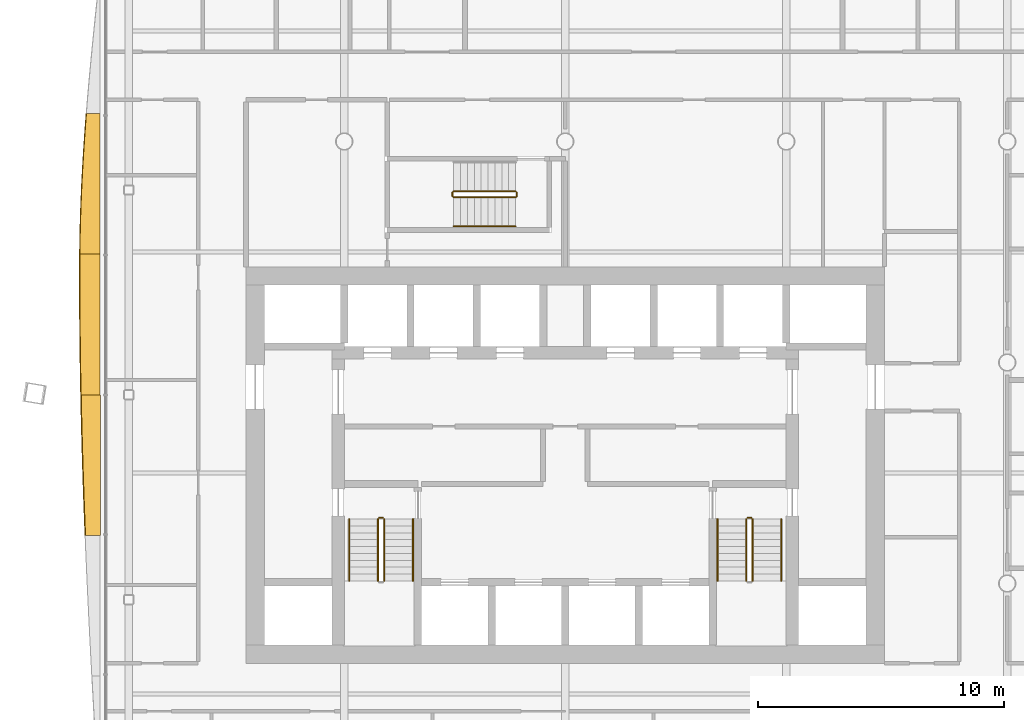
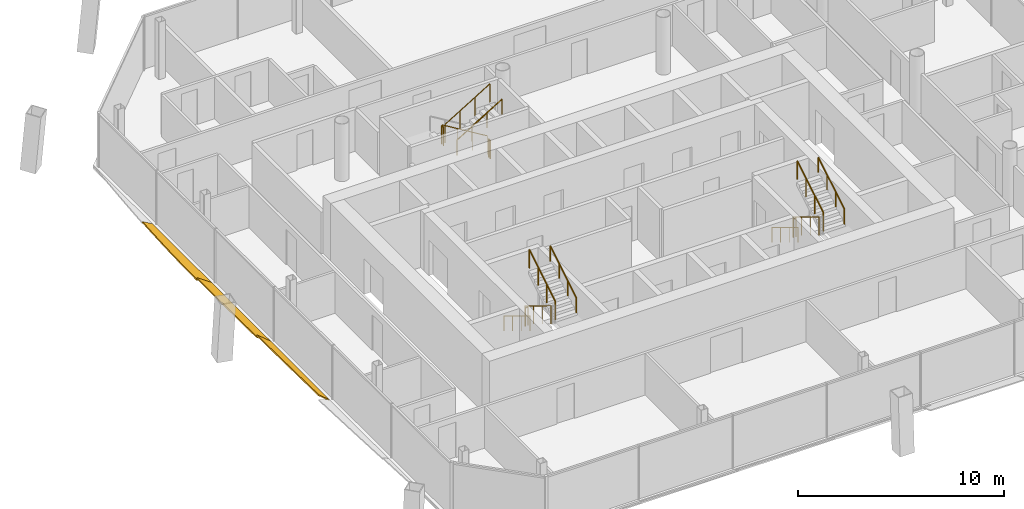
# One storey, part 17 of 18: 15 railings, 3 shading devices.
"""IFC4 building model written with IfcOpenShell, lengths in metres."""

from ifc_helpers import new_model, si_unit, direction, frame, origin, origin_2d, place, context, subcontext, project, spatial, polyline, circle, outline, extrude, material, layer, layer_set, type_object, element, save


model = new_model("IFC4")

# Units and contexts
model_context = context("Model", 3, precision=1e-05, world=origin(), true_north=direction((0.0, 1.0)))
body_context = subcontext(model_context, "Body", "Model", "MODEL_VIEW")
ifc_project = project(units=[si_unit("LENGTHUNIT", "METRE"), si_unit("AREAUNIT", "SQUARE_METRE"), si_unit("VOLUMEUNIT", "CUBIC_METRE"), si_unit("PLANEANGLEUNIT", "RADIAN"), si_unit("MASSUNIT", "GRAM", prefix="KILO")], contexts=[model_context])

# Site, building, storey
site_placement = place(None, origin())
site = spatial("IfcSite", under=ifc_project, at=site_placement, CompositionType="ELEMENT")
building_placement = place(site_placement, origin())
building = spatial("IfcBuilding", under=site, at=building_placement, Name="Tskaro Facet Tower", CompositionType="ELEMENT")
storey_placement = place(building_placement, frame((0.0, 0.0, 155.5)))
storey = spatial("IfcBuildingStorey", under=building, at=storey_placement, Name="L38", CompositionType="ELEMENT", Elevation=155.5)

# Shading devices
ifc_material_1 = material(Name="Bronze anodised aluminium 6063-T6", Category="aluminium")
ifc_layer = layer(ifc_material_1, 0.06005859375, Name="Bronze anodised aluminium 6063-T6")
ifc_layer_set = layer_set([ifc_layer], Name="Bronze anodised aluminium 6063-T6")
shading_device_type = type_object("IfcShadingDeviceType", Name="Bronze sun blade (FN1)", PredefinedType="USERDEFINED", material=ifc_layer_set)
shading_device_1_placement = place(storey_placement, frame((-18.944091796875, 10.13818359375, 0.052001953125), z_axis=(0.50002631681, 2.104297e-05, 0.866010208978), x_axis=(1.0522039e-05, -0.999999999779, 1.8223427e-05)))
element("IfcShadingDevice", 1, at=shading_device_1_placement, inside=storey, type_object=shading_device_type, Name="Fin blade west 2", ObjectType="FIN", PredefinedType="USERDEFINED", context=body_context, shape_type="SweptSolid", body=[
    extrude(outline(polyline([(0.0, 0.0), (5.726806639357067, 0.0), (5.72680664159321, -0.9489847471094149), (5.010986329174217, -0.936296479616107), (4.295166013048883, -0.9156129159205496), (3.5793457021153654, -0.8871782094978022), (2.8635253912359513, -0.8514152168953107), (2.1474609353366154, -0.8082018613755458), (1.4316406238767718, -0.7583272296985423), (0.7158203136626173, -0.702002750138023), (-3.0124193296856167e-09, -0.6398627075151577), (0.0, 0.0)])), origin(), (0.0, 0.0, -1.0), 0.06005859375),
])
shading_device_2_placement = place(storey_placement, frame((-18.939697265625, 4.411376953125, 0.049072265625), z_axis=(0.573665991855, -1.1279269e-05, 0.819089329476), x_axis=(-6.470533e-06, -0.999999999936, -9.238729e-06)))
element("IfcShadingDevice", 2, at=shading_device_2_placement, inside=storey, type_object=shading_device_type, Name="Fin blade west 3", ObjectType="FIN", PredefinedType="USERDEFINED", context=body_context, shape_type="SweptSolid", body=[
    extrude(outline(polyline([(0.0, 0.0), (5.726806640260712, 4.8507939071640925e-21), (5.726806640434466, -0.9469369218432708), (5.010986329153736, -0.963257532394036), (4.295166014933271, -0.9770781102482162), (3.5793457031880602, -0.9886585461936934), (2.8635253891789434, -0.9973989212879422), (2.1477050783209104, -1.0035591263188444), (1.4316406254778784, -1.0074192716340034), (0.7788085922419186, -1.008439356097934), (0.7158203132514744, -1.0082993009241323), (-1.2471917536838442e-09, -1.0033591533380024), (0.0, 0.0)])), origin(), (0.0, 0.0, -1.0), 0.06005859375),
])
shading_device_3_placement = place(storey_placement, frame((-18.935546875, -1.3154296875, 0.0458984375), z_axis=(0.642894431311, 2.1153429e-05, 0.765954796148), x_axis=(1.3599422e-05, -0.999999999776, 1.620257e-05)))
element("IfcShadingDevice", 3, at=shading_device_3_placement, inside=storey, type_object=shading_device_type, Name="Fin blade west 4", ObjectType="FIN", PredefinedType="USERDEFINED", context=body_context, shape_type="SweptSolid", body=[
    extrude(outline(polyline([(0.0, 0.0), (5.72680663934372, -9.701587814328185e-21), (5.726806642303582, -0.7832622428338776), (5.010986327891778, -0.8198351595810384), (4.295166013622473, -0.8545012889905065), (3.579345702180304, -0.8867296730485872), (2.8635253902451017, -0.9167073124379757), (2.1477050778168634, -0.944434207158672), (1.4318847642600567, -0.9695663998796766), (0.715820312905441, -0.9922608472492938), (-2.2729697376365807e-09, -1.0125475933019146), (0.0, 0.0)])), origin(), (0.0, 0.0, -1.0), 0.06005859375),
])

# Railings
ifc_material_2 = material(Name="Stainless steel", Category="steel")
railing_type_1 = type_object("IfcRailingType", Name="RL-GUARD-1100", PredefinedType="GUARDRAIL", material=ifc_material_2)
railing_1_placement = place(storey_placement, frame((-7.625, -6.375, 0.169921875)))
element("IfcRailing", 4, at=railing_1_placement, inside=storey, type_object=railing_type_1, Name="L38 ST-1 stair guard 1", PredefinedType="GUARDRAIL", context=body_context, shape_type="SweptSolid", body=[
    extrude(circle(Radius=0.02392578125, at=origin_2d()), frame((0.0, 0.0, 1.076171875), z_axis=(0.0, -0.85478489116, 0.518982456201), x_axis=(1.0, 0.0, 0.0)), (0.0, 0.0, 1.0), 2.9482421875),
    extrude(circle(Radius=0.02099609375, at=origin_2d()), origin(), (0.0, 0.0, 1.0), 1.052001953125),
    extrude(circle(Radius=0.02099609375, at=origin_2d()), frame((0.0, -0.840087890625, 0.510009765625)), (0.0, 0.0, 1.0), 1.052001953125),
    extrude(circle(Radius=0.02099609375, at=origin_2d()), frame((0.0, -1.679931640625, 1.02001953125)), (0.0, 0.0, 1.0), 1.052001953125),
    extrude(circle(Radius=0.02099609375, at=origin_2d()), frame((0.0, -2.52001953125, 1.530029296875)), (0.0, 0.0, 1.0), 1.052001953125),
])
railing_2_placement = place(storey_placement, frame((-7.375, -8.89501953125, 1.8701171875)))
element("IfcRailing", 5, at=railing_2_placement, inside=storey, type_object=railing_type_1, Name="L38 ST-1 stair guard 3", PredefinedType="GUARDRAIL", context=body_context, shape_type="SweptSolid", body=[
    extrude(circle(Radius=0.02392578125, at=origin_2d()), frame((0.0, 0.0, 1.076171875), z_axis=(0.0, 0.854821627497, 0.518921945155), x_axis=(-1.0, 0.0, 0.0)), (0.0, 0.0, 1.0), 2.947998046875),
    extrude(circle(Radius=0.02099609375, at=origin_2d()), origin(), (0.0, 0.0, 1.0), 1.052001953125),
    extrude(circle(Radius=0.02099609375, at=origin_2d()), frame((0.0, 0.840087890625, 0.510009765625)), (0.0, 0.0, 1.0), 1.052001953125),
    extrude(circle(Radius=0.02099609375, at=origin_2d()), frame((0.0, 1.679931640625, 1.019775390625)), (0.0, 0.0, 1.0), 1.052001953125),
    extrude(circle(Radius=0.02099609375, at=origin_2d()), frame((0.0, 2.52001953125, 1.52978515625)), (0.0, 0.0, 1.0), 1.052001953125),
])
railing_3_placement = place(storey_placement, frame((-7.574951171875, -6.324951171875, 0.0)))
element("IfcRailing", 6, at=railing_3_placement, inside=storey, type_object=railing_type_1, Name="L38 ST-1 stair guard 4", PredefinedType="GUARDRAIL", context=body_context, shape_type="SweptSolid", body=[
    extrude(circle(Radius=0.02392578125, at=origin_2d()), frame((0.0, 0.0, 1.076171875), z_axis=(1.0, 0.0, 0.0), x_axis=(0.0, 1.0, 0.0)), (0.0, 0.0, 1.0), 0.14990234375),
    extrude(circle(Radius=0.02099609375, at=origin_2d()), origin(), (0.0, 0.0, 1.0), 1.052001953125),
    extrude(circle(Radius=0.02099609375, at=origin_2d()), frame((0.14990234375, 0.0, 0.0)), (0.0, 0.0, 1.0), 1.052001953125),
])
railing_4_placement = place(storey_placement, frame((7.375, -6.375, 0.169921875)))
element("IfcRailing", 7, at=railing_4_placement, inside=storey, type_object=railing_type_1, Name="L38 ST-2 stair guard 1", PredefinedType="GUARDRAIL", context=body_context, shape_type="SweptSolid", body=[
    extrude(circle(Radius=0.02392578125, at=origin_2d()), frame((0.0, 0.0, 1.076171875), z_axis=(0.0, -0.85478489116, 0.518982456201), x_axis=(1.0, 0.0, 0.0)), (0.0, 0.0, 1.0), 2.9482421875),
    extrude(circle(Radius=0.02099609375, at=origin_2d()), origin(), (0.0, 0.0, 1.0), 1.052001953125),
    extrude(circle(Radius=0.02099609375, at=origin_2d()), frame((0.0, -0.840087890625, 0.510009765625)), (0.0, 0.0, 1.0), 1.052001953125),
    extrude(circle(Radius=0.02099609375, at=origin_2d()), frame((0.0, -1.679931640625, 1.02001953125)), (0.0, 0.0, 1.0), 1.052001953125),
    extrude(circle(Radius=0.02099609375, at=origin_2d()), frame((0.0, -2.52001953125, 1.530029296875)), (0.0, 0.0, 1.0), 1.052001953125),
])
railing_5_placement = place(storey_placement, frame((7.625, -8.89501953125, 1.8701171875)))
element("IfcRailing", 8, at=railing_5_placement, inside=storey, type_object=railing_type_1, Name="L38 ST-2 stair guard 3", PredefinedType="GUARDRAIL", context=body_context, shape_type="SweptSolid", body=[
    extrude(circle(Radius=0.02392578125, at=origin_2d()), frame((0.0, 0.0, 1.076171875), z_axis=(0.0, 0.854821627497, 0.518921945155), x_axis=(-1.0, 0.0, 0.0)), (0.0, 0.0, 1.0), 2.947998046875),
    extrude(circle(Radius=0.02099609375, at=origin_2d()), origin(), (0.0, 0.0, 1.0), 1.052001953125),
    extrude(circle(Radius=0.02099609375, at=origin_2d()), frame((0.0, 0.840087890625, 0.510009765625)), (0.0, 0.0, 1.0), 1.052001953125),
    extrude(circle(Radius=0.02099609375, at=origin_2d()), frame((0.0, 1.679931640625, 1.019775390625)), (0.0, 0.0, 1.0), 1.052001953125),
    extrude(circle(Radius=0.02099609375, at=origin_2d()), frame((0.0, 2.52001953125, 1.52978515625)), (0.0, 0.0, 1.0), 1.052001953125),
])
railing_6_placement = place(storey_placement, frame((7.425048828125, -6.324951171875, 0.0)))
element("IfcRailing", 9, at=railing_6_placement, inside=storey, type_object=railing_type_1, Name="L38 ST-2 stair guard 4", PredefinedType="GUARDRAIL", context=body_context, shape_type="SweptSolid", body=[
    extrude(circle(Radius=0.02392578125, at=origin_2d()), frame((0.0, 0.0, 1.076171875), z_axis=(1.0, 0.0, 0.0), x_axis=(0.0, 1.0, 0.0)), (0.0, 0.0, 1.0), 0.14990234375),
    extrude(circle(Radius=0.02099609375, at=origin_2d()), origin(), (0.0, 0.0, 1.0), 1.052001953125),
    extrude(circle(Radius=0.02099609375, at=origin_2d()), frame((0.14990234375, 0.0, 0.0)), (0.0, 0.0, 1.0), 1.052001953125),
])
railing_7_placement = place(storey_placement, frame((-2.02490234375, 6.97509765625, 0.169921875)))
element("IfcRailing", 10, at=railing_7_placement, inside=storey, type_object=railing_type_1, Name="L38 ST-3 stair guard 1", PredefinedType="GUARDRAIL", context=body_context, shape_type="SweptSolid", body=[
    extrude(circle(Radius=0.02392578125, at=origin_2d()), frame((0.0, 0.0, 1.076171875), z_axis=(-0.85478489116, 0.0, 0.518982456201), x_axis=(0.0, -1.0, 0.0)), (0.0, 0.0, 1.0), 2.9482421875),
    extrude(circle(Radius=0.02099609375, at=origin_2d()), origin(), (0.0, 0.0, 1.0), 1.052001953125),
    extrude(circle(Radius=0.02099609375, at=origin_2d()), frame((-0.840087890625, 0.0, 0.510009765625)), (0.0, 0.0, 1.0), 1.052001953125),
    extrude(circle(Radius=0.02099609375, at=origin_2d()), frame((-1.679931640625, 0.0, 1.02001953125)), (0.0, 0.0, 1.0), 1.052001953125),
    extrude(circle(Radius=0.02099609375, at=origin_2d()), frame((-2.52001953125, 0.0, 1.530029296875)), (0.0, 0.0, 1.0), 1.052001953125),
])
railing_8_placement = place(storey_placement, frame((-4.594970703125, 6.925048828125, 1.699951171875)))
element("IfcRailing", 11, at=railing_8_placement, inside=storey, type_object=railing_type_1, Name="L38 ST-3 stair guard 2", PredefinedType="GUARDRAIL", context=body_context, shape_type="SweptSolid", body=[
    extrude(circle(Radius=0.02392578125, at=origin_2d()), frame((0.0, 0.0, 1.076171875), z_axis=(0.0, -1.0, 0.0), x_axis=(1.0, 0.0, 0.0)), (0.0, 0.0, 1.0), 0.150146484375),
    extrude(circle(Radius=0.02099609375, at=origin_2d()), origin(), (0.0, 0.0, 1.0), 1.052001953125),
    extrude(circle(Radius=0.02099609375, at=origin_2d()), frame((0.0, -0.150146484375, 0.0)), (0.0, 0.0, 1.0), 1.052001953125),
])
railing_9_placement = place(storey_placement, frame((-4.544921875, 6.72509765625, 1.8701171875)))
element("IfcRailing", 12, at=railing_9_placement, inside=storey, type_object=railing_type_1, Name="L38 ST-3 stair guard 3", PredefinedType="GUARDRAIL", context=body_context, shape_type="SweptSolid", body=[
    extrude(circle(Radius=0.02392578125, at=origin_2d()), frame((0.0, 0.0, 1.076171875), z_axis=(0.854821627497, 0.0, 0.518921945155), x_axis=(0.0, 1.0, 0.0)), (0.0, 0.0, 1.0), 2.947998046875),
    extrude(circle(Radius=0.02099609375, at=origin_2d()), origin(), (0.0, 0.0, 1.0), 1.052001953125),
    extrude(circle(Radius=0.02099609375, at=origin_2d()), frame((0.840087890625, 0.0, 0.510009765625)), (0.0, 0.0, 1.0), 1.052001953125),
    extrude(circle(Radius=0.02099609375, at=origin_2d()), frame((1.679931640625, 0.0, 1.019775390625)), (0.0, 0.0, 1.0), 1.052001953125),
    extrude(circle(Radius=0.02099609375, at=origin_2d()), frame((2.52001953125, 0.0, 1.52978515625)), (0.0, 0.0, 1.0), 1.052001953125),
])
railing_10_placement = place(storey_placement, frame((-1.97509765625, 6.925048828125, 0.0)))
element("IfcRailing", 13, at=railing_10_placement, inside=storey, type_object=railing_type_1, Name="L38 ST-3 stair guard 4", PredefinedType="GUARDRAIL", context=body_context, shape_type="SweptSolid", body=[
    extrude(circle(Radius=0.02392578125, at=origin_2d()), frame((0.0, 0.0, 1.076171875), z_axis=(0.0, -1.0, 0.0), x_axis=(1.0, 0.0, 0.0)), (0.0, 0.0, 1.0), 0.150146484375),
    extrude(circle(Radius=0.02099609375, at=origin_2d()), origin(), (0.0, 0.0, 1.0), 1.052001953125),
    extrude(circle(Radius=0.02099609375, at=origin_2d()), frame((0.0, -0.150146484375, 0.0)), (0.0, 0.0, 1.0), 1.052001953125),
])
railing_type_2 = type_object("IfcRailingType", Name="RL-HANDRAIL-900", PredefinedType="HANDRAIL", material=ifc_material_2)
railing_11_placement = place(storey_placement, frame((-8.800048828125, -6.375, 0.169921875)))
element("IfcRailing", 14, at=railing_11_placement, inside=storey, type_object=railing_type_2, Name="L38 ST-1 stair handrail 1", PredefinedType="HANDRAIL", context=body_context, shape_type="SweptSolid", body=[
    extrude(circle(Radius=0.02392578125, at=origin_2d()), frame((0.0, 0.0, 0.8759765625), z_axis=(0.0, -0.85478489116, 0.518982456201), x_axis=(1.0, 0.0, 0.0)), (0.0, 0.0, 1.0), 2.9482421875),
    extrude(circle(Radius=0.02099609375, at=origin_2d()), origin(), (0.0, 0.0, 1.0), 0.851806640625),
    extrude(circle(Radius=0.02099609375, at=origin_2d()), frame((0.0, -0.840087890625, 0.510009765625)), (0.0, 0.0, 1.0), 0.851806640625),
    extrude(circle(Radius=0.02099609375, at=origin_2d()), frame((0.0, -1.679931640625, 1.02001953125)), (0.0, 0.0, 1.0), 0.851806640625),
    extrude(circle(Radius=0.02099609375, at=origin_2d()), frame((0.0, -2.52001953125, 1.530029296875)), (0.0, 0.0, 1.0), 0.851806640625),
])
railing_12_placement = place(storey_placement, frame((-6.199951171875, -8.89501953125, 1.8701171875)))
element("IfcRailing", 15, at=railing_12_placement, inside=storey, type_object=railing_type_2, Name="L38 ST-1 stair handrail 2", PredefinedType="HANDRAIL", context=body_context, shape_type="SweptSolid", body=[
    extrude(circle(Radius=0.02392578125, at=origin_2d()), frame((0.0, 0.0, 0.8759765625), z_axis=(0.0, 0.854821627497, 0.518921945155), x_axis=(-1.0, 0.0, 0.0)), (0.0, 0.0, 1.0), 2.947998046875),
    extrude(circle(Radius=0.02099609375, at=origin_2d()), origin(), (0.0, 0.0, 1.0), 0.851806640625),
    extrude(circle(Radius=0.02099609375, at=origin_2d()), frame((0.0, 0.840087890625, 0.510009765625)), (0.0, 0.0, 1.0), 0.851806640625),
    extrude(circle(Radius=0.02099609375, at=origin_2d()), frame((0.0, 1.679931640625, 1.019775390625)), (0.0, 0.0, 1.0), 0.851806640625),
    extrude(circle(Radius=0.02099609375, at=origin_2d()), frame((0.0, 2.52001953125, 1.52978515625)), (0.0, 0.0, 1.0), 0.851806640625),
])
railing_13_placement = place(storey_placement, frame((6.199951171875, -6.375, 0.169921875)))
element("IfcRailing", 16, at=railing_13_placement, inside=storey, type_object=railing_type_2, Name="L38 ST-2 stair handrail 1", PredefinedType="HANDRAIL", context=body_context, shape_type="SweptSolid", body=[
    extrude(circle(Radius=0.02392578125, at=origin_2d()), frame((0.0, 0.0, 0.8759765625), z_axis=(0.0, -0.85478489116, 0.518982456201), x_axis=(1.0, 0.0, 0.0)), (0.0, 0.0, 1.0), 2.9482421875),
    extrude(circle(Radius=0.02099609375, at=origin_2d()), origin(), (0.0, 0.0, 1.0), 0.851806640625),
    extrude(circle(Radius=0.02099609375, at=origin_2d()), frame((0.0, -0.840087890625, 0.510009765625)), (0.0, 0.0, 1.0), 0.851806640625),
    extrude(circle(Radius=0.02099609375, at=origin_2d()), frame((0.0, -1.679931640625, 1.02001953125)), (0.0, 0.0, 1.0), 0.851806640625),
    extrude(circle(Radius=0.02099609375, at=origin_2d()), frame((0.0, -2.52001953125, 1.530029296875)), (0.0, 0.0, 1.0), 0.851806640625),
])
railing_14_placement = place(storey_placement, frame((8.800048828125, -8.89501953125, 1.8701171875)))
element("IfcRailing", 17, at=railing_14_placement, inside=storey, type_object=railing_type_2, Name="L38 ST-2 stair handrail 2", PredefinedType="HANDRAIL", context=body_context, shape_type="SweptSolid", body=[
    extrude(circle(Radius=0.02392578125, at=origin_2d()), frame((0.0, 0.0, 0.8759765625), z_axis=(0.0, 0.854821627497, 0.518921945155), x_axis=(-1.0, 0.0, 0.0)), (0.0, 0.0, 1.0), 2.947998046875),
    extrude(circle(Radius=0.02099609375, at=origin_2d()), origin(), (0.0, 0.0, 1.0), 0.851806640625),
    extrude(circle(Radius=0.02099609375, at=origin_2d()), frame((0.0, 0.840087890625, 0.510009765625)), (0.0, 0.0, 1.0), 0.851806640625),
    extrude(circle(Radius=0.02099609375, at=origin_2d()), frame((0.0, 1.679931640625, 1.019775390625)), (0.0, 0.0, 1.0), 0.851806640625),
    extrude(circle(Radius=0.02099609375, at=origin_2d()), frame((0.0, 2.52001953125, 1.52978515625)), (0.0, 0.0, 1.0), 0.851806640625),
])
railing_15_placement = place(storey_placement, frame((-4.544921875, 5.550048828125, 1.8701171875)))
element("IfcRailing", 18, at=railing_15_placement, inside=storey, type_object=railing_type_2, Name="L38 ST-3 stair handrail 2", PredefinedType="HANDRAIL", context=body_context, shape_type="SweptSolid", body=[
    extrude(circle(Radius=0.02392578125, at=origin_2d()), frame((0.0, 0.0, 0.8759765625), z_axis=(0.854821627497, 0.0, 0.518921945155), x_axis=(0.0, 1.0, 0.0)), (0.0, 0.0, 1.0), 2.947998046875),
    extrude(circle(Radius=0.02099609375, at=origin_2d()), origin(), (0.0, 0.0, 1.0), 0.851806640625),
    extrude(circle(Radius=0.02099609375, at=origin_2d()), frame((0.840087890625, 0.0, 0.510009765625)), (0.0, 0.0, 1.0), 0.851806640625),
    extrude(circle(Radius=0.02099609375, at=origin_2d()), frame((1.679931640625, 0.0, 1.019775390625)), (0.0, 0.0, 1.0), 0.851806640625),
    extrude(circle(Radius=0.02099609375, at=origin_2d()), frame((2.52001953125, 0.0, 1.52978515625)), (0.0, 0.0, 1.0), 0.851806640625),
])

save(model, "model.ifc")
